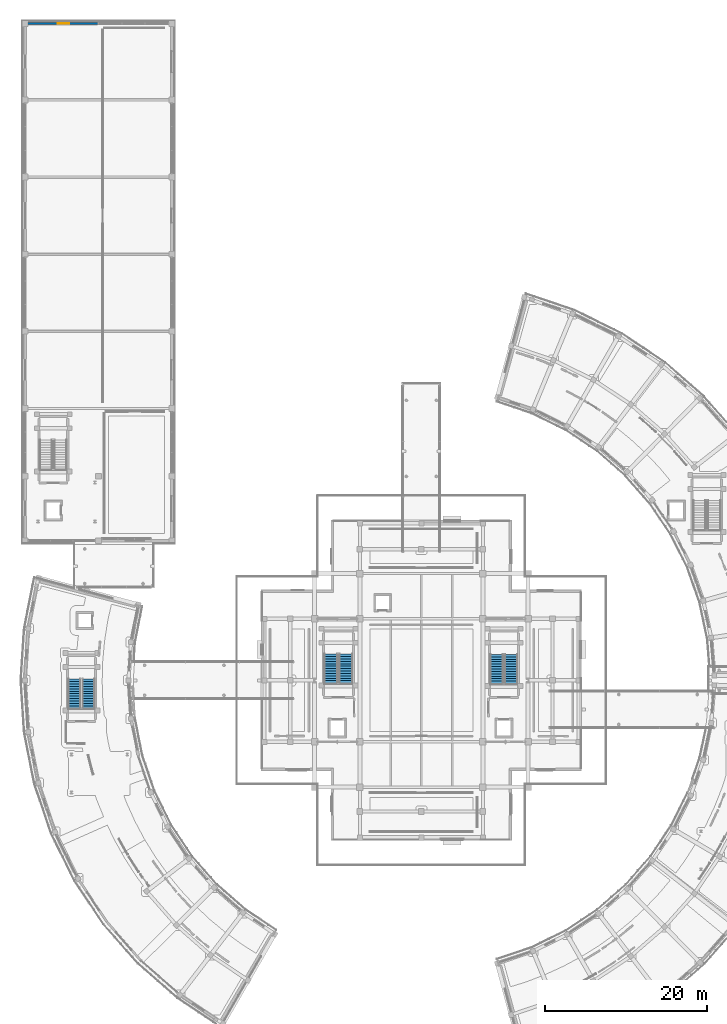
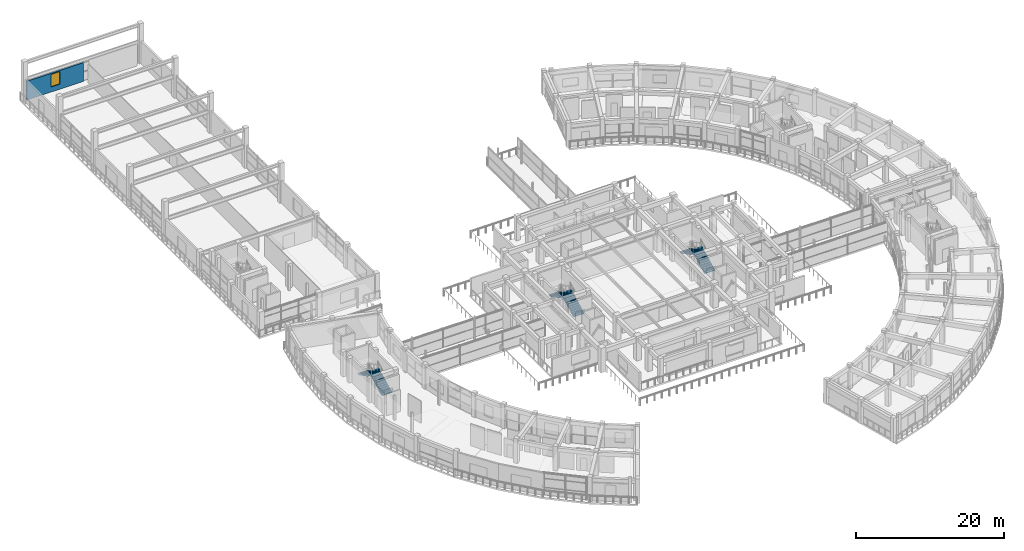
# One storey, part 54 of 72: 6 stair flights, 1 wall, 1 window, 1 opening, 3 elements without a shape of their own.
"""IFC4 building model written with IfcOpenShell, lengths in metres."""

from ifc_helpers import new_model, si_unit, direction, frame, frame_2d, origin, place, context, subcontext, project, spatial, polyline, rectangle, outline, extrude, material, layer, layer_set, type_object, element, fill, aggregate, save


model = new_model("IFC4")

# Units and contexts
model_context = context("Model", 3, precision=1e-05, world=origin(), true_north=direction((0.0, 1.0)))
body_context = subcontext(model_context, "Body", "Model", "MODEL_VIEW")
ifc_project = project(units=[si_unit("LENGTHUNIT", "METRE"), si_unit("AREAUNIT", "SQUARE_METRE"), si_unit("VOLUMEUNIT", "CUBIC_METRE"), si_unit("PLANEANGLEUNIT", "RADIAN"), si_unit("MASSUNIT", "GRAM", prefix="KILO")], contexts=[model_context])

# Site, building, storey
site_placement = place(None, origin())
site = spatial("IfcSite", under=ifc_project, at=site_placement, CompositionType="ELEMENT")
building_placement = place(site_placement, origin())
building = spatial("IfcBuilding", under=site, at=building_placement, Name="Saryqyr Civic Hall", CompositionType="ELEMENT")
storey_placement = place(building_placement, frame((0.0, 0.0, 17.25)))
storey = spatial("IfcBuildingStorey", under=building, at=storey_placement, Name="L04", CompositionType="ELEMENT", Elevation=17.25)

# Wall, opening, window
ifc_material_1 = material(Name="Precast concrete C40/50", Category="concrete")
ifc_layer = layer(ifc_material_1, 0.27001953125, Name="Precast concrete C40/50")
ifc_layer_set = layer_set([ifc_layer], Name="Precast concrete C40/50")
wall_type = type_object("IfcWallType", Name="ENV-WAL-EXT-270", PredefinedType="STANDARD", material=ifc_layer_set)
wall_placement = place(storey_placement, frame((8.3349609375, 165.14990234375, 0.0), z_axis=(0.0, 0.0, 1.0), x_axis=(1.0, 0.0, 0.0)))
wall = element("IfcWall", 1, at=wall_placement, inside=storey, type_object=wall_type, Name="Exterior wall V3-EW-L04-2-0", PredefinedType="STANDARD", context=body_context, shape_type="SweptSolid", body=[
    extrude(rectangle(XDim=8.885009765625, YDim=0.27001953125, at=frame_2d((4.4423828125, 0.0))), origin(), (0.0, 0.0, 1.0), 3.10498046875),
])
opening_placement = place(wall_placement, frame((3.741943359375, 0.0, 0.85009765625)))
opening = element("IfcOpeningElement", 2, at=opening_placement, cuts=wall, Name="Opening W-31", PredefinedType="OPENING", context=body_context, shape_type="SweptSolid", body=[
    extrude(rectangle(XDim=1.39990234375, YDim=2.050048828125, at=frame_2d((0.699951171875, 1.02490234375))), frame((0.0, 0.14501953125, 0.0), z_axis=(0.0, -1.0, 0.0), x_axis=(1.0, 0.0, 0.0)), (0.0, 0.0, 1.0), 0.2900390625),
])
ifc_material_2 = material(Name="Anodised aluminium and triple low-E glass", Category="aluminium")
window_type = type_object("IfcWindowType", Name="ENV-WIN-W31", PartitioningType="SINGLE_PANEL", PredefinedType="WINDOW", material=ifc_material_2)
window_placement = place(opening_placement, origin())
window = element("IfcWindow", 3, at=window_placement, inside=storey, type_object=window_type, Name="Library window L04-2-0", OverallHeight=2.050048828125, OverallWidth=1.39990234375, PartitioningType="SINGLE_PANEL", PredefinedType="WINDOW", context=body_context, shape_type="SweptSolid", body=[
    extrude(rectangle(XDim=1.39990234375, YDim=2.050048828125, at=frame_2d((0.699951171875, 1.02490234375))), frame((0.0, 0.030029296875, 0.0), z_axis=(0.0, -1.0, 0.0), x_axis=(1.0, 0.0, 0.0)), (0.0, 0.0, 1.0), 0.06005859375),
])
fill(opening, window)

# Stair, stair flights
ifc_material_3 = material(Name="Concrete C35/45", Category="concrete")
stair_type_1 = type_object("IfcStairType", Name="INT-STR-ST-1", PredefinedType="HALF_TURN_STAIR", material=ifc_material_3)
stair_1_placement = place(storey_placement, origin())
stair_1 = element("IfcStair", 4, at=stair_1_placement, inside=storey, type_object=stair_type_1, Name="L04 Protected Exit Stair ST-1", PredefinedType="HALF_TURN_STAIR")
stair_flight_type_1 = type_object("IfcStairFlightType", Name="INT-SFL-ST-1", PredefinedType="STRAIGHT", material=ifc_material_3)
stair_flight_1_placement = place(storey_placement, frame((47.675048828125, 83.64990234375, 0.0), z_axis=(0.0, 0.0, 1.0), x_axis=(0.0, 1.0, 0.0)))
stair_flight_1 = element("IfcStairFlight", 5, at=stair_flight_1_placement, type_object=stair_flight_type_1, Name="ST-1 flight 1", NumberOfRisers=13, NumberOfTreads=12, PredefinedType="STRAIGHT", RiserHeight=0.155769231, TreadLength=0.3, context=body_context, shape_type="SweptSolid", body=[
    extrude(outline(polyline([(0.0, 0.0), (0.0, 0.15576171875), (0.300048828125, 0.15576171875), (0.300048828125, 0.3115234375), (0.60009765625, 0.3115234375), (0.60009765625, 0.46728515625), (0.89990234375, 0.46728515625), (0.89990234375, 0.623046875), (1.199951171875, 0.623046875), (1.199951171875, 0.77880859375), (1.5, 0.77880859375), (1.5, 0.9345703125), (1.800048828125, 0.9345703125), (1.800048828125, 1.09033203125), (2.10009765625, 1.09033203125), (2.10009765625, 1.24609375), (2.39990234375, 1.24609375), (2.39990234375, 1.40185546875), (2.699951171875, 1.40185546875), (2.699951171875, 1.5576171875), (3.0, 1.5576171875), (3.0, 1.71337890625), (3.300048828125, 1.71337890625), (3.300048828125, 1.869140625), (3.60009765625, 1.869140625), (3.60009765625, 2.02490234375), (3.60009765625, 1.700439453125), (0.3251953125, 0.0), (0.0, 0.0)])), frame((0.0, 0.824951171875, 0.0), z_axis=(0.0, -1.0, 0.0), x_axis=(1.0, 0.0, 0.0)), (0.0, 0.0, 1.0), 1.64990234375),
])
stair_flight_2_placement = place(storey_placement, frame((45.824951171875, 87.25, 2.02490234375), z_axis=(0.0, 0.0, 1.0), x_axis=(0.0, -1.0, 0.0)))
stair_flight_2 = element("IfcStairFlight", 6, at=stair_flight_2_placement, type_object=stair_flight_type_1, Name="ST-1 flight 2", NumberOfRisers=13, NumberOfTreads=12, PredefinedType="STRAIGHT", RiserHeight=0.155769231, TreadLength=0.3, context=body_context, shape_type="SweptSolid", body=[
    extrude(outline(polyline([(0.0, 0.0), (0.0, 0.15576171875), (0.300048828125, 0.15576171875), (0.300048828125, 0.3115234375), (0.60009765625, 0.3115234375), (0.60009765625, 0.46728515625), (0.89990234375, 0.46728515625), (0.89990234375, 0.623046875), (1.199951171875, 0.623046875), (1.199951171875, 0.77880859375), (1.5, 0.77880859375), (1.5, 0.9345703125), (1.800048828125, 0.9345703125), (1.800048828125, 1.09033203125), (2.10009765625, 1.09033203125), (2.10009765625, 1.24609375), (2.39990234375, 1.24609375), (2.39990234375, 1.40185546875), (2.699951171875, 1.40185546875), (2.699951171875, 1.5576171875), (3.0, 1.5576171875), (3.0, 1.71337890625), (3.300048828125, 1.71337890625), (3.300048828125, 1.869140625), (3.60009765625, 1.869140625), (3.60009765625, 2.02490234375), (3.60009765625, 1.700439453125), (0.3251953125, 0.0), (0.0, 0.0)])), frame((0.0, 0.824951171875, 0.0), z_axis=(0.0, -1.0, 0.0), x_axis=(1.0, 0.0, 0.0)), (0.0, 0.0, 1.0), 1.64990234375),
])
aggregate(stair_1, [stair_flight_1, stair_flight_2])

stair_type_2 = type_object("IfcStairType", Name="INT-STR-ST-2", PredefinedType="HALF_TURN_STAIR", material=ifc_material_3)
stair_2_placement = place(storey_placement, origin())
stair_2 = element("IfcStair", 7, at=stair_2_placement, inside=storey, type_object=stair_type_2, Name="L04 Protected Exit Stair ST-2", PredefinedType="HALF_TURN_STAIR")
stair_flight_type_2 = type_object("IfcStairFlightType", Name="INT-SFL-ST-2", PredefinedType="STRAIGHT", material=ifc_material_3)
stair_flight_3_placement = place(storey_placement, frame((68.10009765625, 83.60009765625, 0.0), z_axis=(0.0, 0.0, 1.0), x_axis=(0.0, 1.0, 0.0)))
stair_flight_3 = element("IfcStairFlight", 8, at=stair_flight_3_placement, type_object=stair_flight_type_2, Name="ST-2 flight 1", NumberOfRisers=13, NumberOfTreads=12, PredefinedType="STRAIGHT", RiserHeight=0.155769231, TreadLength=0.3, context=body_context, shape_type="SweptSolid", body=[
    extrude(outline(polyline([(0.0, 0.0), (0.0, 0.15576171875), (0.300048828125, 0.15576171875), (0.300048828125, 0.3115234375), (0.60009765625, 0.3115234375), (0.60009765625, 0.46728515625), (0.89990234375, 0.46728515625), (0.89990234375, 0.623046875), (1.199951171875, 0.623046875), (1.199951171875, 0.77880859375), (1.5, 0.77880859375), (1.5, 0.9345703125), (1.800048828125, 0.9345703125), (1.800048828125, 1.09033203125), (2.10009765625, 1.09033203125), (2.10009765625, 1.24609375), (2.39990234375, 1.24609375), (2.39990234375, 1.40185546875), (2.699951171875, 1.40185546875), (2.699951171875, 1.5576171875), (3.0, 1.5576171875), (3.0, 1.71337890625), (3.300048828125, 1.71337890625), (3.300048828125, 1.869140625), (3.60009765625, 1.869140625), (3.60009765625, 2.02490234375), (3.60009765625, 1.700439453125), (0.3251953125, 0.0), (0.0, 0.0)])), frame((0.0, 0.800048828125, 0.0), z_axis=(0.0, -1.0, 0.0), x_axis=(1.0, 0.0, 0.0)), (0.0, 0.0, 1.0), 1.60009765625),
])
stair_flight_4_placement = place(storey_placement, frame((66.300048828125, 87.199951171875, 2.02490234375), z_axis=(0.0, 0.0, 1.0), x_axis=(0.0, -1.0, 0.0)))
stair_flight_4 = element("IfcStairFlight", 9, at=stair_flight_4_placement, type_object=stair_flight_type_2, Name="ST-2 flight 2", NumberOfRisers=13, NumberOfTreads=12, PredefinedType="STRAIGHT", RiserHeight=0.155769231, TreadLength=0.3, context=body_context, shape_type="SweptSolid", body=[
    extrude(outline(polyline([(0.0, 0.0), (0.0, 0.15576171875), (0.300048828125, 0.15576171875), (0.300048828125, 0.3115234375), (0.60009765625, 0.3115234375), (0.60009765625, 0.46728515625), (0.89990234375, 0.46728515625), (0.89990234375, 0.623046875), (1.199951171875, 0.623046875), (1.199951171875, 0.77880859375), (1.5, 0.77880859375), (1.5, 0.9345703125), (1.800048828125, 0.9345703125), (1.800048828125, 1.09033203125), (2.10009765625, 1.09033203125), (2.10009765625, 1.24609375), (2.39990234375, 1.24609375), (2.39990234375, 1.40185546875), (2.699951171875, 1.40185546875), (2.699951171875, 1.5576171875), (3.0, 1.5576171875), (3.0, 1.71337890625), (3.300048828125, 1.71337890625), (3.300048828125, 1.869140625), (3.60009765625, 1.869140625), (3.60009765625, 2.02490234375), (3.60009765625, 1.700439453125), (0.3251953125, 0.0), (0.0, 0.0)])), frame((0.0, 0.800048828125, 0.0), z_axis=(0.0, -1.0, 0.0), x_axis=(1.0, 0.0, 0.0)), (0.0, 0.0, 1.0), 1.60009765625),
])
aggregate(stair_2, [stair_flight_3, stair_flight_4])

stair_type_3 = type_object("IfcStairType", Name="INT-STR-ST-4", PredefinedType="HALF_TURN_STAIR", material=ifc_material_3)
stair_3_placement = place(storey_placement, origin())
stair_3 = element("IfcStair", 10, at=stair_3_placement, inside=storey, type_object=stair_type_3, Name="L04 Protected Exit Stair ST-4", PredefinedType="HALF_TURN_STAIR")
stair_flight_type_3 = type_object("IfcStairFlightType", Name="INT-SFL-ST-4", PredefinedType="STRAIGHT", material=ifc_material_3)
stair_flight_5_placement = place(storey_placement, frame((15.875, 80.550048828125, 0.0), z_axis=(0.0, 0.0, 1.0), x_axis=(0.0, 1.0, 0.0)))
stair_flight_5 = element("IfcStairFlight", 11, at=stair_flight_5_placement, type_object=stair_flight_type_3, Name="ST-4 flight 1", NumberOfRisers=13, NumberOfTreads=12, PredefinedType="STRAIGHT", RiserHeight=0.155769231, TreadLength=0.3, context=body_context, shape_type="SweptSolid", body=[
    extrude(outline(polyline([(0.0, 0.0), (0.0, 0.15576171875), (0.300048828125, 0.15576171875), (0.300048828125, 0.3115234375), (0.60009765625, 0.3115234375), (0.60009765625, 0.46728515625), (0.89990234375, 0.46728515625), (0.89990234375, 0.623046875), (1.199951171875, 0.623046875), (1.199951171875, 0.77880859375), (1.5, 0.77880859375), (1.5, 0.9345703125), (1.800048828125, 0.9345703125), (1.800048828125, 1.09033203125), (2.10009765625, 1.09033203125), (2.10009765625, 1.24609375), (2.39990234375, 1.24609375), (2.39990234375, 1.40185546875), (2.699951171875, 1.40185546875), (2.699951171875, 1.5576171875), (3.0, 1.5576171875), (3.0, 1.71337890625), (3.300048828125, 1.71337890625), (3.300048828125, 1.869140625), (3.60009765625, 1.869140625), (3.60009765625, 2.02490234375), (3.60009765625, 1.700439453125), (0.3251953125, 0.0), (0.0, 0.0)])), frame((0.0, 0.77490234375, 0.0), z_axis=(0.0, -1.0, 0.0), x_axis=(1.0, 0.0, 0.0)), (0.0, 0.0, 1.0), 1.550048828125),
])
stair_flight_6_placement = place(storey_placement, frame((14.125, 84.14990234375, 2.02490234375), z_axis=(0.0, 0.0, 1.0), x_axis=(0.0, -1.0, 0.0)))
stair_flight_6 = element("IfcStairFlight", 12, at=stair_flight_6_placement, type_object=stair_flight_type_3, Name="ST-4 flight 2", NumberOfRisers=13, NumberOfTreads=12, PredefinedType="STRAIGHT", RiserHeight=0.155769231, TreadLength=0.3, context=body_context, shape_type="SweptSolid", body=[
    extrude(outline(polyline([(0.0, 0.0), (0.0, 0.15576171875), (0.300048828125, 0.15576171875), (0.300048828125, 0.3115234375), (0.60009765625, 0.3115234375), (0.60009765625, 0.46728515625), (0.89990234375, 0.46728515625), (0.89990234375, 0.623046875), (1.199951171875, 0.623046875), (1.199951171875, 0.77880859375), (1.5, 0.77880859375), (1.5, 0.9345703125), (1.800048828125, 0.9345703125), (1.800048828125, 1.09033203125), (2.10009765625, 1.09033203125), (2.10009765625, 1.24609375), (2.39990234375, 1.24609375), (2.39990234375, 1.40185546875), (2.699951171875, 1.40185546875), (2.699951171875, 1.5576171875), (3.0, 1.5576171875), (3.0, 1.71337890625), (3.300048828125, 1.71337890625), (3.300048828125, 1.869140625), (3.60009765625, 1.869140625), (3.60009765625, 2.02490234375), (3.60009765625, 1.700439453125), (0.3251953125, 0.0), (0.0, 0.0)])), frame((0.0, 0.77490234375, 0.0), z_axis=(0.0, -1.0, 0.0), x_axis=(1.0, 0.0, 0.0)), (0.0, 0.0, 1.0), 1.550048828125),
])
aggregate(stair_3, [stair_flight_5, stair_flight_6])

save(model, "model.ifc")
